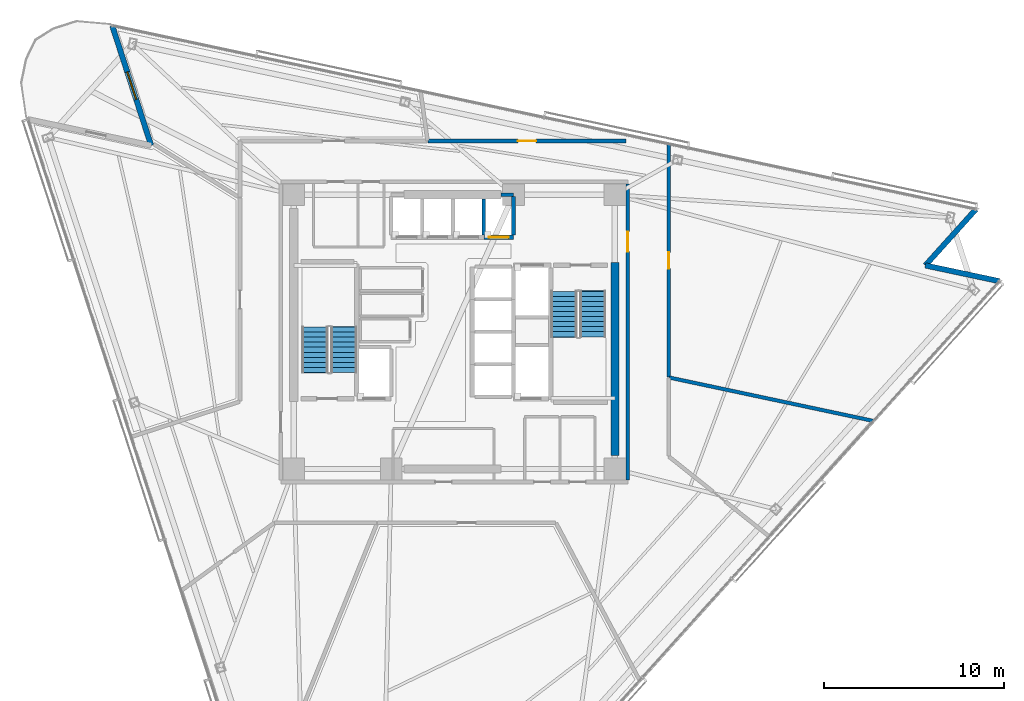
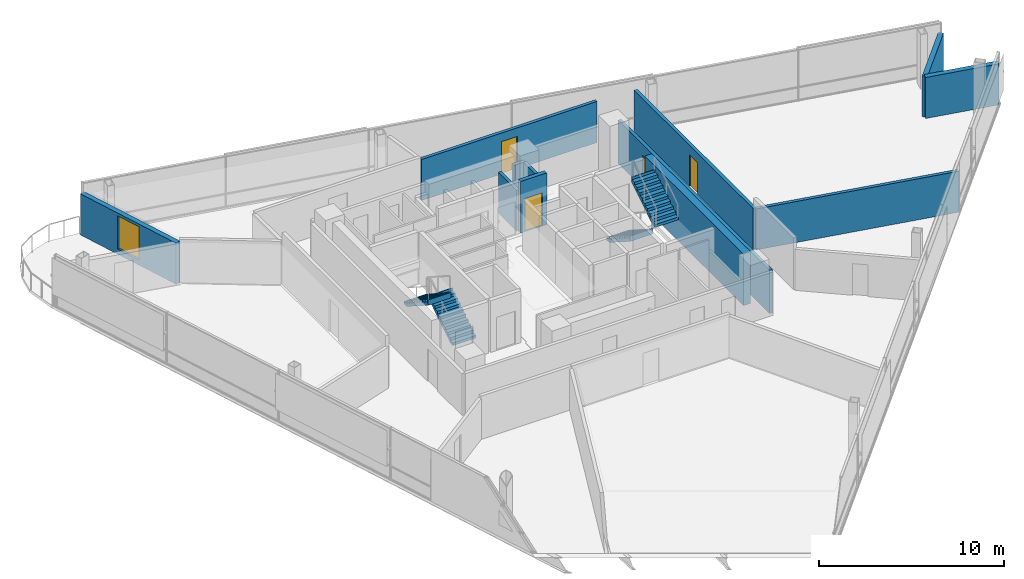
# One storey, part 12 of 17: 12 walls, 4 doors, 4 stair flights, 1 window, 5 openings, 2 elements without a shape of their own.
"""IFC4 building model written with IfcOpenShell, lengths in metres."""

from ifc_helpers import new_model, si_unit, direction, frame, frame_2d, origin, place, context, subcontext, project, spatial, polyline, rectangle, outline, extrude, material, layer, layer_set, type_object, element, fill, aggregate, save


model = new_model("IFC4")

# Units and contexts
model_context = context("Model", 3, precision=1e-05, world=origin(), true_north=direction((0.0, 1.0)))
body_context = subcontext(model_context, "Body", "Model", "MODEL_VIEW")
ifc_project = project(units=[si_unit("LENGTHUNIT", "METRE"), si_unit("AREAUNIT", "SQUARE_METRE"), si_unit("VOLUMEUNIT", "CUBIC_METRE"), si_unit("PLANEANGLEUNIT", "RADIAN"), si_unit("MASSUNIT", "GRAM", prefix="KILO")], contexts=[model_context])

# Site, building, storey
site_placement = place(None, origin())
site = spatial("IfcSite", under=ifc_project, at=site_placement, CompositionType="ELEMENT")
building_placement = place(site_placement, origin())
building = spatial("IfcBuilding", under=site, at=building_placement, Name="Tharavind Bronze Gate", CompositionType="ELEMENT")
storey_placement = place(building_placement, frame((0.0, 0.0, 207.64990234375)))
storey = spatial("IfcBuildingStorey", under=building, at=storey_placement, Name="L53", CompositionType="ELEMENT", Elevation=207.64990234375)

# Wall, opening, window
ifc_material_1 = material(Name="Concrete C40/50", Category="concrete")
ifc_layer_1 = layer(ifc_material_1, 0.300048828125)
ifc_layer_set_1 = layer_set([ifc_layer_1], Name="Concrete C40/50")
wall_type_1 = type_object("IfcWallType", Name="EXTERIOR SPANDREL WALL 300", PredefinedType="STANDARD", material=ifc_layer_set_1)
wall_1_placement = place(storey_placement, frame((-18.959716796875, 16.967529296875, 0.0), z_axis=(0.0, 0.0, 1.0), x_axis=(0.309030708092, -0.951052060329, 0.0)))
wall_1 = element("IfcWall", 1, at=wall_1_placement, inside=storey, type_object=wall_type_1, Name="L53 notch cheek wall 1A", PredefinedType="STANDARD", context=body_context, shape_type="SweptSolid", body=[
    extrude(rectangle(XDim=6.979736328125, YDim=0.300048828125, at=frame_2d((3.48974609375, 0.0))), origin(), (0.0, 0.0, 1.0), 2.715087890625),
])
opening_1_placement = place(wall_1_placement, frame((2.68994140625, 0.0, 0.3349609375)))
opening_1 = element("IfcOpeningElement", 2, at=opening_1_placement, cuts=wall_1, Name="Opening W05", PredefinedType="OPENING", context=body_context, shape_type="SweptSolid", body=[
    extrude(rectangle(XDim=1.60009765625, YDim=2.199951171875, at=frame_2d((0.800048828125, 1.10009765625))), frame((0.0, 0.15990234375, 0.0), z_axis=(0.0, -1.0, 0.0), x_axis=(1.0, 0.0, 0.0)), (0.0, 0.0, 1.0), 0.320048828125),
])
ifc_material_2 = material(Name="Bronze Aluminium & Low-E Glass", Category="aluminium")
window_type = type_object("IfcWindowType", Name="OFFICE NOTCH BRONZE WINDOW 1600X2200", PartitioningType="DOUBLE_PANEL_VERTICAL", PredefinedType="WINDOW", material=ifc_material_2)
window_placement = place(opening_1_placement, origin())
window = element("IfcWindow", 3, at=window_placement, inside=storey, type_object=window_type, Name="L53 exterior window WL-L53-NCA1-01", OverallHeight=2.199951171875, OverallWidth=1.60009765625, PartitioningType="SINGLE_PANEL", PredefinedType="WINDOW", context=body_context, shape_type="SweptSolid", body=[
    extrude(rectangle(XDim=1.60009765625, YDim=2.199951171875, at=frame_2d((0.800048828125, 1.10009765625))), frame((0.0, 0.030029296875, 0.0), z_axis=(0.0, -1.0, 0.0), x_axis=(1.0, 0.0, 0.0)), (0.0, 0.0, 1.0), 0.06005859375),
])
fill(opening_1, window)

# Walls
for number, where, z_axis, x_axis, name in (
    (4, (30.199462890625, 2.810546875, 0.0), (0.0, 0.0, 1.0), (-0.978144033538, 0.207928472445, 0.0), "L53 notch cheek wall 3A"),
    (5, (26.102783203125, 3.681396484375, 0.0), (0.0, 0.0, 1.0), (0.669151507466, 0.743126005504, 0.0), "L53 notch cheek wall 3B"),
):
    element("IfcWall", number, at=place(storey_placement, frame(where, z_axis=z_axis, x_axis=x_axis)), inside=storey, type_object=wall_type_1, Name=name, PredefinedType="STANDARD", context=body_context, shape_type="SweptSolid", body=[
        extrude(rectangle(XDim=4.188232421875, YDim=0.300048828125, at=frame_2d((2.09423828125, 0.0))), origin(), (0.0, 0.0, 1.0), 2.715087890625),
    ])

# Wall, opening, door
ifc_material_3 = material(Name="Aerated Concrete Block", Category="concrete")
ifc_layer_2 = layer(ifc_material_3, 0.199951171875)
ifc_layer_set_2 = layer_set([ifc_layer_2], Name="Aerated Concrete Block")
wall_type_2 = type_object("IfcWallType", Name="FIRE RATED PARTITION 200", PredefinedType="PARTITIONING", material=ifc_layer_set_2)
wall_2_placement = place(storey_placement, frame((9.6201171875, -8.199951171875, 0.0), z_axis=(0.0, 0.0, 1.0), x_axis=(0.0, 1.0, 0.0)))
wall_2 = element("IfcWall", 6, at=wall_2_placement, inside=storey, type_object=wall_type_2, Name="L53 east core corridor wall", PredefinedType="PARTITIONING", context=body_context, shape_type="SweptSolid", body=[
    extrude(rectangle(XDim=16.39990234375, YDim=0.199951171875, at=frame_2d((8.199951171875, 0.0))), origin(), (0.0, 0.0, 1.0), 2.864990234375),
])
opening_2_placement = place(wall_2_placement, frame((12.64990234375, 0.0, 0.0)))
opening_2 = element("IfcOpeningElement", 7, at=opening_2_placement, cuts=wall_2, Name="Opening ID01", PredefinedType="OPENING", context=body_context, shape_type="SweptSolid", body=[
    extrude(rectangle(XDim=1.10009765625, YDim=2.14990234375, at=frame_2d((0.550048828125, 1.074951171875))), frame((0.0, 0.11009765625, 0.0), z_axis=(0.0, -1.0, 0.0), x_axis=(1.0, 0.0, 0.0)), (0.0, 0.0, 1.0), 0.219951171875),
])
ifc_material_4 = material(Name="Fire-Rated Steel", Category="steel")
door_type_1 = type_object("IfcDoorType", Name="STAIR CORE FIRE DOOR 1100X2150", OperationType="SINGLE_SWING_LEFT", PredefinedType="DOOR", material=ifc_material_4)
door_1_placement = place(opening_2_placement, frame((1.10009765625, 0.0, 0.0), z_axis=(0.0, 0.0, 1.0), x_axis=(-1.0, 0.0, 0.0)))
door_1 = element("IfcDoor", 8, at=door_1_placement, inside=storey, type_object=door_type_1, Name="L53 north east stair lobby fire door", OperationType="SINGLE_SWING_LEFT", OverallHeight=2.14990234375, OverallWidth=1.10009765625, PredefinedType="DOOR", context=body_context, shape_type="SweptSolid", body=[
    extrude(rectangle(XDim=1.10009765625, YDim=2.14990234375, at=frame_2d((0.550048828125, 1.074951171875))), frame((0.0, 0.02490234375, 0.0), z_axis=(0.0, -1.0, 0.0), x_axis=(1.0, 0.0, 0.0)), (0.0, 0.0, 1.0), 0.050048828125),
])
fill(opening_2, door_1)

# Wall
wall_3_placement = place(storey_placement, frame((11.91015625, -2.531494140625, 0.0), z_axis=(0.0, 0.0, 1.0), x_axis=(0.978148872081, -0.207905709508, 0.0)))
element("IfcWall", 9, at=wall_3_placement, inside=storey, type_object=wall_type_2, Name="L53 Public Restrooms Block partition", PredefinedType="PARTITIONING", context=body_context, shape_type="SweptSolid", body=[
    extrude(rectangle(XDim=11.566650390625, YDim=0.199951171875, at=frame_2d((5.783203125, 0.0))), origin(), (0.0, 0.0, 1.0), 2.715087890625),
])

# Wall, opening, door
wall_4_placement = place(storey_placement, frame((9.51513671875, 10.580078125, 0.0), z_axis=(0.0, 0.0, 1.0), x_axis=(-1.0, 0.0, 0.0)))
wall_4 = element("IfcWall", 10, at=wall_4_placement, inside=storey, type_object=wall_type_2, Name="L53 Upper Zone Open Office partition", PredefinedType="PARTITIONING", context=body_context, shape_type="SweptSolid", body=[
    extrude(rectangle(XDim=10.980224609375, YDim=0.199951171875, at=frame_2d((5.490234375, 0.0))), origin(), (0.0, 0.0, 1.0), 2.715087890625),
])
opening_3_placement = place(wall_4_placement, frame((4.989990234375, 0.0, 0.0)))
opening_3 = element("IfcOpeningElement", 11, at=opening_3_placement, cuts=wall_4, Name="Opening ID04", PredefinedType="OPENING", context=body_context, shape_type="SweptSolid", body=[
    extrude(rectangle(XDim=1.0, YDim=2.14990234375, at=frame_2d((0.5, 1.074951171875))), frame((0.0, 0.11009765625, 0.0), z_axis=(0.0, -1.0, 0.0), x_axis=(1.0, 0.0, 0.0)), (0.0, 0.0, 1.0), 0.219951171875),
])
ifc_material_5 = material(Name="Bronze Framed Acoustic Timber", Category="wood")
door_type_2 = type_object("IfcDoorType", Name="OFFICE TENANCY DOOR 1000X2150", OperationType="SINGLE_SWING_RIGHT", PredefinedType="DOOR", material=ifc_material_5)
door_2_placement = place(opening_3_placement, origin())
door_2 = element("IfcDoor", 12, at=door_2_placement, inside=storey, type_object=door_type_2, Name="L53 Upper Zone Open Office door", OperationType="SINGLE_SWING_RIGHT", OverallHeight=2.14990234375, OverallWidth=1.0, PredefinedType="DOOR", context=body_context, shape_type="SweptSolid", body=[
    extrude(rectangle(XDim=1.0, YDim=2.14990234375, at=frame_2d((0.5, 1.074951171875))), frame((0.0, 0.02490234375, 0.0), z_axis=(0.0, -1.0, 0.0), x_axis=(1.0, 0.0, 0.0)), (0.0, 0.0, 1.0), 0.050048828125),
])
fill(opening_3, door_2)

wall_5_placement = place(storey_placement, frame((11.8798828125, -2.5048828125, 0.0), z_axis=(0.0, 0.0, 1.0), x_axis=(0.0, 1.0, 0.0)))
wall_5 = element("IfcWall", 13, at=wall_5_placement, inside=storey, type_object=wall_type_2, Name="L53 Tea Pantry partition", PredefinedType="PARTITIONING", context=body_context, shape_type="SweptSolid", body=[
    extrude(rectangle(XDim=12.917236328125, YDim=0.199951171875, at=frame_2d((6.45849609375, 0.0))), origin(), (0.0, 0.0, 1.0), 2.715087890625),
])
opening_4_placement = place(wall_5_placement, frame((6.009033203125, 0.0, 0.0)))
opening_4 = element("IfcOpeningElement", 14, at=opening_4_placement, cuts=wall_5, Name="Opening ID07", PredefinedType="OPENING", context=body_context, shape_type="SweptSolid", body=[
    extrude(rectangle(XDim=0.89990234375, YDim=2.10009765625, at=frame_2d((0.449951171875, 1.050048828125))), frame((0.0, 0.11009765625, 0.0), z_axis=(0.0, -1.0, 0.0), x_axis=(1.0, 0.0, 0.0)), (0.0, 0.0, 1.0), 0.219951171875),
])
ifc_material_6 = material(Name="Galvanised Fire Steel", Category="steel")
door_type_3 = type_object("IfcDoorType", Name="PLANT AND RISER FIRE DOOR 900X2100", OperationType="SINGLE_SWING_LEFT", PredefinedType="DOOR", material=ifc_material_6)
door_3_placement = place(opening_4_placement, origin())
door_3 = element("IfcDoor", 15, at=door_3_placement, inside=storey, type_object=door_type_3, Name="L53 Tea Pantry door", OperationType="SINGLE_SWING_LEFT", OverallHeight=2.10009765625, OverallWidth=0.89990234375, PredefinedType="DOOR", context=body_context, shape_type="SweptSolid", body=[
    extrude(rectangle(XDim=0.89990234375, YDim=2.10009765625, at=frame_2d((0.449951171875, 1.050048828125))), frame((0.0, 0.02490234375, 0.0), z_axis=(0.0, -1.0, 0.0), x_axis=(1.0, 0.0, 0.0)), (0.0, 0.0, 1.0), 0.050048828125),
])
fill(opening_4, door_3)

ifc_material_7 = material(Name="Concrete C50/60", Category="concrete")
ifc_layer_3 = layer(ifc_material_7, 0.25)
ifc_layer_set_3 = layer_set([ifc_layer_3], Name="Concrete C50/60")
wall_type_3 = type_object("IfcWallType", Name="RC CORE SHEAR WALL 250", PredefinedType="SHEAR", material=ifc_layer_set_3)
wall_6_placement = place(storey_placement, frame((1.637451171875, 5.25, 0.0), z_axis=(0.0, 0.0, 1.0), x_axis=(1.0, 0.0, 0.0)))
wall_6 = element("IfcWall", 16, at=wall_6_placement, inside=storey, type_object=wall_type_3, Name="L53 lift PL8 shaft front wall", PredefinedType="SHEAR", context=body_context, shape_type="SweptSolid", body=[
    extrude(rectangle(XDim=1.642578125, YDim=0.25, at=frame_2d((0.8212890625, 0.0))), origin(), (0.0, 0.0, 1.0), 3.420166015625),
])
opening_5_placement = place(wall_6_placement, frame((0.27099609375, 0.0, 0.0)))
opening_5 = element("IfcOpeningElement", 17, at=opening_5_placement, cuts=wall_6, Name="Opening LD01", PredefinedType="OPENING", context=body_context, shape_type="SweptSolid", body=[
    extrude(rectangle(XDim=1.10009765625, YDim=2.199951171875, at=frame_2d((0.550048828125, 1.10009765625))), frame((0.0, 0.135, 0.0), z_axis=(0.0, -1.0, 0.0), x_axis=(1.0, 0.0, 0.0)), (0.0, 0.0, 1.0), 0.27),
])
ifc_material_8 = material(Name="Brushed Bronze Stainless Steel", Category="steel")
door_type_4 = type_object("IfcDoorType", Name="LIFT LANDING SLIDING DOOR 1100X2200", OperationType="SLIDING_TO_LEFT", PredefinedType="DOOR", material=ifc_material_8)
door_4_placement = place(opening_5_placement, origin())
door_4 = element("IfcDoor", 18, at=door_4_placement, inside=storey, type_object=door_type_4, Name="L53 lift PL8 sliding landing door", OperationType="SLIDING_TO_LEFT", OverallHeight=2.199951171875, OverallWidth=1.10009765625, PredefinedType="DOOR", context=body_context, shape_type="SweptSolid", body=[
    extrude(rectangle(XDim=1.10009765625, YDim=2.199951171875, at=frame_2d((0.550048828125, 1.10009765625))), frame((0.0, 0.02490234375, 0.0), z_axis=(0.0, -1.0, 0.0), x_axis=(1.0, 0.0, 0.0)), (0.0, 0.0, 1.0), 0.050048828125),
])
fill(opening_5, door_4)

# Walls
ifc_material_9 = material(Name="Concrete C60/75", Category="concrete")
ifc_layer_4 = layer(ifc_material_9, 0.449951171875)
ifc_layer_set_4 = layer_set([ifc_layer_4], Name="Concrete C60/75")
wall_type_4 = type_object("IfcWallType", Name="RC CORE SHEAR WALL 450", PredefinedType="SHEAR", material=ifc_layer_set_4)
wall_7_placement = place(storey_placement, frame((8.89990234375, -6.85009765625, 0.0), z_axis=(0.0, 0.0, 1.0), x_axis=(0.0, 1.0, 0.0)))
element("IfcWall", 19, at=wall_7_placement, inside=storey, type_object=wall_type_4, Name="L53 east core shear wall", PredefinedType="SHEAR", context=body_context, shape_type="SweptSolid", body=[
    extrude(rectangle(XDim=10.7001953125, YDim=0.449951171875, at=frame_2d((5.35009765625, 0.0))), origin(), (0.0, 0.0, 1.0), 3.420166015625),
])
ifc_layer_5 = layer(ifc_material_1, 0.199951171875)
ifc_layer_set_5 = layer_set([ifc_layer_5], Name="Concrete C40/50")
wall_type_5 = type_object("IfcWallType", Name="SHAFT ENCLOSURE WALL 200", PredefinedType="PARTITIONING", material=ifc_layer_set_5)
wall_8_placement = place(storey_placement, frame((1.637451171875, 5.3798828125, 0.0), z_axis=(0.0, 0.0, 1.0), x_axis=(0.0, 1.0, 0.0)))
element("IfcWall", 20, at=wall_8_placement, inside=storey, type_object=wall_type_5, Name="L53 lift PL7 shaft E enclosure wall", PredefinedType="PARTITIONING", context=body_context, shape_type="SweptSolid", body=[
    extrude(rectangle(XDim=1.990234375, YDim=0.199951171875, at=frame_2d((0.9951171875, 0.0))), origin(), (0.0, 0.0, 1.0), 2.715087890625),
])
wall_9_placement = place(storey_placement, frame((2.580078125, 7.60009765625, 0.0), z_axis=(0.0, 0.0, 1.0), x_axis=(1.0, 0.0, 0.0)))
element("IfcWall", 21, at=wall_9_placement, inside=storey, type_object=wall_type_5, Name="L53 lift PL8 shaft N enclosure wall", PredefinedType="PARTITIONING", context=body_context, shape_type="SweptSolid", body=[
    extrude(rectangle(XDim=0.699951171875, YDim=0.199951171875, at=frame_2d((0.35009765625, 0.0))), origin(), (0.0, 0.0, 1.0), 2.715087890625),
])
wall_10_placement = place(storey_placement, frame((3.280029296875, 5.3798828125, 0.0), z_axis=(0.0, 0.0, 1.0), x_axis=(0.0, 1.0, 0.0)))
element("IfcWall", 22, at=wall_10_placement, inside=storey, type_object=wall_type_5, Name="L53 lift PL8 shaft E enclosure wall", PredefinedType="PARTITIONING", context=body_context, shape_type="SweptSolid", body=[
    extrude(rectangle(XDim=2.115234375, YDim=0.199951171875, at=frame_2d((1.0576171875, 0.0))), origin(), (0.0, 0.0, 1.0), 2.715087890625),
])

# Stair, stair flights
stair_type = type_object("IfcStairType", Name="CORE HALF TURN STAIR 1450", PredefinedType="HALF_TURN_STAIR", material=ifc_material_1)
stair_1_placement = place(storey_placement, origin())
stair_1 = element("IfcStair", 23, at=stair_1_placement, inside=storey, type_object=stair_type, Name="L53 Protected Exit Stair ST1", PredefinedType="HALF_TURN_STAIR")
stair_flight_type = type_object("IfcStairFlightType", Name="CORE STAIR FLIGHT 1450", PredefinedType="STRAIGHT", material=ifc_material_1)
stair_flight_1_placement = place(storey_placement, frame((-6.125, -2.25, 0.0), z_axis=(0.0, 0.0, 1.0), x_axis=(0.0, 1.0, 0.0)))
stair_flight_1 = element("IfcStairFlight", 24, at=stair_flight_1_placement, type_object=stair_flight_type, Name="ST1 flight 1", NumberOfRisers=10, NumberOfTreads=9, PredefinedType="STRAIGHT", RiserHeight=0.18, TreadLength=0.28, context=body_context, shape_type="SweptSolid", body=[
    extrude(outline(polyline([(0.0, 0.0), (0.0, 0.179931640625), (0.280029296875, 0.179931640625), (0.280029296875, 0.360107421875), (0.56005859375, 0.360107421875), (0.56005859375, 0.5400390625), (0.840087890625, 0.5400390625), (0.840087890625, 0.719970703125), (1.1201171875, 0.719970703125), (1.1201171875, 0.89990234375), (1.39990234375, 0.89990234375), (1.39990234375, 1.080078125), (1.679931640625, 1.080078125), (1.679931640625, 1.260009765625), (1.9599609375, 1.260009765625), (1.9599609375, 1.43994140625), (2.239990234375, 1.43994140625), (2.239990234375, 1.6201171875), (2.52001953125, 1.6201171875), (2.52001953125, 1.800048828125), (2.555908203125, 1.800048828125), (2.555908203125, 1.44189453125), (0.277099609375, 0.0), (0.0, 0.0)])), frame((0.0, 0.72509765625, 0.0), z_axis=(0.0, -1.0, 0.0), x_axis=(1.0, 0.0, 0.0)), (0.0, 0.0, 1.0), 1.449951171875),
])
stair_flight_2_placement = place(storey_placement, frame((-7.72509765625, 0.27001953125, 1.800048828125), z_axis=(0.0, 0.0, 1.0), x_axis=(0.0, -1.0, 0.0)))
stair_flight_2 = element("IfcStairFlight", 25, at=stair_flight_2_placement, type_object=stair_flight_type, Name="ST1 flight 2", NumberOfRisers=10, NumberOfTreads=9, PredefinedType="STRAIGHT", RiserHeight=0.18, TreadLength=0.28, context=body_context, shape_type="SweptSolid", body=[
    extrude(outline(polyline([(0.0, 0.0), (0.0, 0.179931640625), (0.280029296875, 0.179931640625), (0.280029296875, 0.360107421875), (0.56005859375, 0.360107421875), (0.56005859375, 0.5400390625), (0.840087890625, 0.5400390625), (0.840087890625, 0.719970703125), (1.1201171875, 0.719970703125), (1.1201171875, 0.89990234375), (1.39990234375, 0.89990234375), (1.39990234375, 1.080078125), (1.679931640625, 1.080078125), (1.679931640625, 1.260009765625), (1.9599609375, 1.260009765625), (1.9599609375, 1.43994140625), (2.239990234375, 1.43994140625), (2.239990234375, 1.6201171875), (2.52001953125, 1.6201171875), (2.52001953125, 1.800048828125), (2.555908203125, 1.800048828125), (2.555908203125, 1.44189453125), (0.277099609375, 0.0), (0.0, 0.0)])), frame((0.0, 0.72509765625, 0.0), z_axis=(0.0, -1.0, 0.0), x_axis=(1.0, 0.0, 0.0)), (0.0, 0.0, 1.0), 1.449951171875),
])
aggregate(stair_1, [stair_flight_1, stair_flight_2])

stair_2_placement = place(storey_placement, origin())
stair_2 = element("IfcStair", 26, at=stair_2_placement, inside=storey, type_object=stair_type, Name="L53 Protected Exit Stair ST2", PredefinedType="HALF_TURN_STAIR")
stair_flight_3_placement = place(storey_placement, frame((6.074951171875, 2.25, 0.0), z_axis=(0.0, 0.0, 1.0), x_axis=(0.0, -1.0, 0.0)))
stair_flight_3 = element("IfcStairFlight", 27, at=stair_flight_3_placement, type_object=stair_flight_type, Name="ST2 flight 1", NumberOfRisers=10, NumberOfTreads=9, PredefinedType="STRAIGHT", RiserHeight=0.18, TreadLength=0.28, context=body_context, shape_type="SweptSolid", body=[
    extrude(outline(polyline([(0.0, 0.0), (0.0, 0.179931640625), (0.280029296875, 0.179931640625), (0.280029296875, 0.360107421875), (0.56005859375, 0.360107421875), (0.56005859375, 0.5400390625), (0.840087890625, 0.5400390625), (0.840087890625, 0.719970703125), (1.1201171875, 0.719970703125), (1.1201171875, 0.89990234375), (1.39990234375, 0.89990234375), (1.39990234375, 1.080078125), (1.679931640625, 1.080078125), (1.679931640625, 1.260009765625), (1.9599609375, 1.260009765625), (1.9599609375, 1.43994140625), (2.239990234375, 1.43994140625), (2.239990234375, 1.6201171875), (2.52001953125, 1.6201171875), (2.52001953125, 1.800048828125), (2.555908203125, 1.800048828125), (2.555908203125, 1.44189453125), (0.277099609375, 0.0), (0.0, 0.0)])), frame((0.0, 0.72509765625, 0.0), z_axis=(0.0, -1.0, 0.0), x_axis=(1.0, 0.0, 0.0)), (0.0, 0.0, 1.0), 1.449951171875),
])
stair_flight_4_placement = place(storey_placement, frame((7.675048828125, -0.27001953125, 1.800048828125), z_axis=(0.0, 0.0, 1.0), x_axis=(0.0, 1.0, 0.0)))
stair_flight_4 = element("IfcStairFlight", 28, at=stair_flight_4_placement, type_object=stair_flight_type, Name="ST2 flight 2", NumberOfRisers=10, NumberOfTreads=9, PredefinedType="STRAIGHT", RiserHeight=0.18, TreadLength=0.28, context=body_context, shape_type="SweptSolid", body=[
    extrude(outline(polyline([(0.0, 0.0), (0.0, 0.179931640625), (0.280029296875, 0.179931640625), (0.280029296875, 0.360107421875), (0.56005859375, 0.360107421875), (0.56005859375, 0.5400390625), (0.840087890625, 0.5400390625), (0.840087890625, 0.719970703125), (1.1201171875, 0.719970703125), (1.1201171875, 0.89990234375), (1.39990234375, 0.89990234375), (1.39990234375, 1.080078125), (1.679931640625, 1.080078125), (1.679931640625, 1.260009765625), (1.9599609375, 1.260009765625), (1.9599609375, 1.43994140625), (2.239990234375, 1.43994140625), (2.239990234375, 1.6201171875), (2.52001953125, 1.6201171875), (2.52001953125, 1.800048828125), (2.555908203125, 1.800048828125), (2.555908203125, 1.44189453125), (0.277099609375, 0.0), (0.0, 0.0)])), frame((0.0, 0.72509765625, 0.0), z_axis=(0.0, -1.0, 0.0), x_axis=(1.0, 0.0, 0.0)), (0.0, 0.0, 1.0), 1.449951171875),
])
aggregate(stair_2, [stair_flight_3, stair_flight_4])

save(model, "model.ifc")
